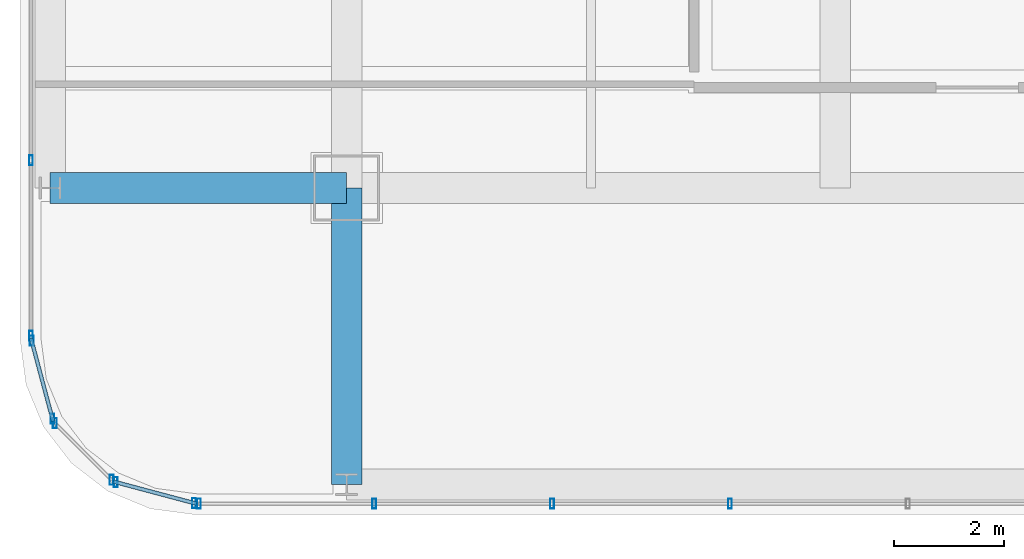
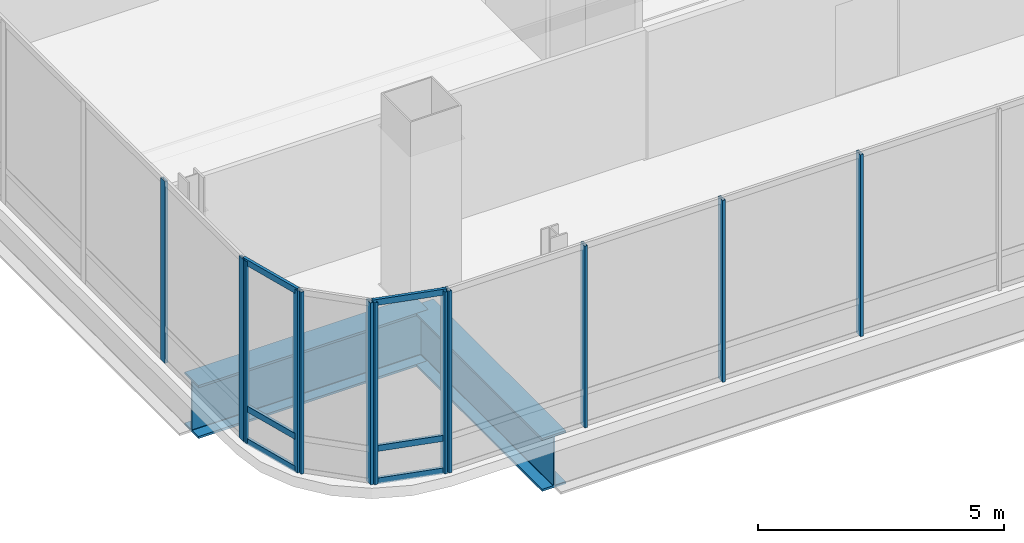
# One storey, part 2 of 45: 18 members, 2 beams, 5 elements without a shape of their own.
"""IFC4 building model written with IfcOpenShell, lengths in metres."""

from ifc_helpers import new_model, si_unit, direction, frame, origin, origin_2d, place, context, subcontext, project, spatial, hollow_rectangle, i_section, extrude, material, material_profile, profile_set, type_object, element, aggregate, save


model = new_model("IFC4")

# Units and contexts
model_context = context("Model", 3, precision=1e-05, world=origin(), true_north=direction((0.0, 1.0)))
body_context = subcontext(model_context, "Body", "Model", "MODEL_VIEW")
ifc_project = project(units=[si_unit("LENGTHUNIT", "METRE"), si_unit("AREAUNIT", "SQUARE_METRE"), si_unit("VOLUMEUNIT", "CUBIC_METRE"), si_unit("PLANEANGLEUNIT", "RADIAN"), si_unit("MASSUNIT", "GRAM", prefix="KILO")], contexts=[model_context])

# Site, building, storey
site_placement = place(None, origin())
site = spatial("IfcSite", under=ifc_project, at=site_placement, CompositionType="ELEMENT")
building_placement = place(site_placement, origin())
building = spatial("IfcBuilding", under=site, at=building_placement, Name="Punatoya Terracotta Tower", CompositionType="ELEMENT")
storey_placement = place(building_placement, frame((0.0, 0.0, 339.0)))
storey = spatial("IfcBuildingStorey", under=building, at=storey_placement, Name="L80", CompositionType="ELEMENT", Elevation=339.0)

# Beams
ifc_material_1 = material(Name="Steel S460", Category="steel")
ifc_material_profile_1 = material_profile(ifc_material_1, i_section(OverallWidth=0.56005859375, OverallDepth=1.320068359375, WebThickness=0.035888671875, FlangeThickness=0.054931640625, FilletRadius=0.01806640625, at=origin_2d()))
ifc_profile_set_1 = profile_set([ifc_material_profile_1], Name="Steel S460")
beam_type = type_object("IfcBeamType", Name="BM-TG-BLK", PredefinedType="BEAM", material=ifc_profile_set_1)
for number, where, z_axis, x_axis, name in (
    (1, (-24.5, -17.5, -0.919921875), (1.0, 0.0, 0.0), (0.0, 1.0, 0.0), "BM-L80-CANT-W1"),
    (2, (-19.10009765625, -22.89990234375, -0.919921875), (0.0, 1.0, 0.0), (-1.0, 0.0, 0.0), "BM-L80-CANT-S1"),
):
    element("IfcBeam", number, at=place(storey_placement, frame(where, z_axis=z_axis, x_axis=x_axis)), inside=storey, type_object=beam_type, Name=name, PredefinedType="BEAM", context=body_context, shape_type="SweptSolid", body=[
        extrude(i_section(OverallWidth=0.56005859375, OverallDepth=1.320068359375, WebThickness=0.035888671875, FlangeThickness=0.054931640625, FilletRadius=0.01806640625, at=origin_2d()), origin(), (0.0, 0.0, 1.0), 5.39990234375),
    ])

# Curtain wall, members
ifc_material_2 = material(Name="Aluminium 6063-T6 + Double Low-E Glass", Category="aluminium")
curtain_wall_type = type_object("IfcCurtainWallType", Name="CW-OBS", PredefinedType="NOTDEFINED", material=ifc_material_2)
curtain_wall_1_placement = place(storey_placement, origin())
curtain_wall_1 = element("IfcCurtainWall", 3, at=curtain_wall_1_placement, inside=storey, type_object=curtain_wall_type, Name="L80 Curtain Wall CW-L80-S01-1", PredefinedType="NOTDEFINED")
ifc_material_3 = material(Name="Aluminium 6063-T6", Category="aluminium")
ifc_material_profile_2 = material_profile(ifc_material_3, hollow_rectangle(XDim=0.070068359375, YDim=0.179931640625, WallThickness=0.00390625, at=origin_2d()))
ifc_profile_set_2 = profile_set([ifc_material_profile_2], Name="Aluminium 6063-T6")
member_type_1 = type_object("IfcMemberType", Name="CW-MUL-M3", PredefinedType="MULLION", material=ifc_profile_set_2)
member_1_placement = place(storey_placement, frame((-21.7919921875, -23.25, 0.0), z_axis=(0.0, 0.0, 1.0), x_axis=(1.0, 0.0, 0.0)))
member_1 = element("IfcMember", 4, at=member_1_placement, type_object=member_type_1, Name="CW-L80-S01-1 Mullion 00", PredefinedType="MULLION", context=body_context, shape_type="SweptSolid", body=[
    extrude(hollow_rectangle(XDim=0.070068359375, YDim=0.179931640625, WallThickness=0.00390625, at=origin_2d()), origin(), (0.0, 0.0, 1.0), 4.52001953125),
])
member_2_placement = place(storey_placement, frame((-18.597412109375, -23.25, 0.0), z_axis=(0.0, 0.0, 1.0), x_axis=(1.0, 0.0, 0.0)))
member_2 = element("IfcMember", 5, at=member_2_placement, type_object=member_type_1, Name="CW-L80-S01-1 Mullion 01", PredefinedType="MULLION", context=body_context, shape_type="SweptSolid", body=[
    extrude(hollow_rectangle(XDim=0.070068359375, YDim=0.179931640625, WallThickness=0.00390625, at=origin_2d()), origin(), (0.0, 0.0, 1.0), 4.52001953125),
])
member_3_placement = place(storey_placement, frame((-15.35791015625, -23.25, 0.0), z_axis=(0.0, 0.0, 1.0), x_axis=(1.0, 0.0, 0.0)))
member_3 = element("IfcMember", 6, at=member_3_placement, type_object=member_type_1, Name="CW-L80-S01-1 Mullion 02", PredefinedType="MULLION", context=body_context, shape_type="SweptSolid", body=[
    extrude(hollow_rectangle(XDim=0.070068359375, YDim=0.179931640625, WallThickness=0.00390625, at=origin_2d()), origin(), (0.0, 0.0, 1.0), 4.52001953125),
])
member_4_placement = place(storey_placement, frame((-12.118408203125, -23.25, 0.0), z_axis=(0.0, 0.0, 1.0), x_axis=(1.0, 0.0, 0.0)))
member_4 = element("IfcMember", 7, at=member_4_placement, type_object=member_type_1, Name="CW-L80-S01-1 Mullion 03", PredefinedType="MULLION", context=body_context, shape_type="SweptSolid", body=[
    extrude(hollow_rectangle(XDim=0.070068359375, YDim=0.179931640625, WallThickness=0.00390625, at=origin_2d()), origin(), (0.0, 0.0, 1.0), 4.52001953125),
])
aggregate(curtain_wall_1, [member_1, member_2, member_3, member_4])

curtain_wall_2_placement = place(storey_placement, origin())
curtain_wall_2 = element("IfcCurtainWall", 8, at=curtain_wall_2_placement, inside=storey, type_object=curtain_wall_type, Name="L80 Curtain Wall CW-L80-W13-1", PredefinedType="NOTDEFINED")
member_5_placement = place(storey_placement, frame((-24.85009765625, -16.993896484375, 0.0), z_axis=(0.0, 0.0, 1.0), x_axis=(1.0, 0.0, 0.0)))
member_5 = element("IfcMember", 9, at=member_5_placement, type_object=member_type_1, Name="CW-L80-W13-1 Mullion 10", PredefinedType="MULLION", context=body_context, shape_type="SweptSolid", body=[
    extrude(hollow_rectangle(XDim=0.070068359375, YDim=0.179931640625, WallThickness=0.00390625, at=origin_2d()), origin(), (0.0, 0.0, 1.0), 4.52001953125),
])
member_6_placement = place(storey_placement, frame((-24.85009765625, -20.19189453125, 0.0), z_axis=(0.0, 0.0, 1.0), x_axis=(1.0, 0.0, 0.0)))
member_6 = element("IfcMember", 10, at=member_6_placement, type_object=member_type_1, Name="CW-L80-W13-1 Mullion 11", PredefinedType="MULLION", context=body_context, shape_type="SweptSolid", body=[
    extrude(hollow_rectangle(XDim=0.070068359375, YDim=0.179931640625, WallThickness=0.00390625, at=origin_2d()), origin(), (0.0, 0.0, 1.0), 4.52001953125),
])
aggregate(curtain_wall_2, [member_5, member_6])

curtain_wall_3_placement = place(storey_placement, origin())
curtain_wall_3 = element("IfcCurtainWall", 11, at=curtain_wall_3_placement, inside=storey, type_object=curtain_wall_type, Name="L80 Curtain Wall CW-L80-CRN14", PredefinedType="NOTDEFINED")
member_7_placement = place(storey_placement, frame((-24.83837890625, -20.280517578125, 0.0), z_axis=(0.0, 0.0, 1.0), x_axis=(1.0, 0.0, 0.0)))
member_7 = element("IfcMember", 12, at=member_7_placement, type_object=member_type_1, Name="CW-L80-CRN14 Mullion 00", PredefinedType="MULLION", context=body_context, shape_type="SweptSolid", body=[
    extrude(hollow_rectangle(XDim=0.070068359375, YDim=0.179931640625, WallThickness=0.00390625, at=origin_2d()), origin(), (0.0, 0.0, 1.0), 4.52001953125),
])
member_8_placement = place(storey_placement, frame((-24.458251953125, -21.70556640625, 0.0), z_axis=(0.0, 0.0, 1.0), x_axis=(1.0, 0.0, 0.0)))
member_8 = element("IfcMember", 13, at=member_8_placement, type_object=member_type_1, Name="CW-L80-CRN14 Mullion 01", PredefinedType="MULLION", context=body_context, shape_type="SweptSolid", body=[
    extrude(hollow_rectangle(XDim=0.070068359375, YDim=0.179931640625, WallThickness=0.00390625, at=origin_2d()), origin(), (0.0, 0.0, 1.0), 4.52001953125),
])

curtain_wall_4_placement = place(storey_placement, origin())
curtain_wall_4 = element("IfcCurtainWall", 14, at=curtain_wall_4_placement, inside=storey, type_object=curtain_wall_type, Name="L80 Curtain Wall CW-L80-CRN15", PredefinedType="NOTDEFINED")
member_9_placement = place(storey_placement, frame((-24.414794921875, -21.781005859375, 0.0), z_axis=(0.0, 0.0, 1.0), x_axis=(1.0, 0.0, 0.0)))
member_9 = element("IfcMember", 15, at=member_9_placement, type_object=member_type_1, Name="CW-L80-CRN15 Mullion 00", PredefinedType="MULLION", context=body_context, shape_type="SweptSolid", body=[
    extrude(hollow_rectangle(XDim=0.070068359375, YDim=0.179931640625, WallThickness=0.00390625, at=origin_2d()), origin(), (0.0, 0.0, 1.0), 4.52001953125),
])
member_10_placement = place(storey_placement, frame((-23.380859375, -22.814697265625, 0.0), z_axis=(0.0, 0.0, 1.0), x_axis=(1.0, 0.0, 0.0)))
member_10 = element("IfcMember", 16, at=member_10_placement, type_object=member_type_1, Name="CW-L80-CRN15 Mullion 01", PredefinedType="MULLION", context=body_context, shape_type="SweptSolid", body=[
    extrude(hollow_rectangle(XDim=0.070068359375, YDim=0.179931640625, WallThickness=0.00390625, at=origin_2d()), origin(), (0.0, 0.0, 1.0), 4.52001953125),
])
aggregate(curtain_wall_4, [member_9, member_10])

curtain_wall_5_placement = place(storey_placement, origin())
curtain_wall_5 = element("IfcCurtainWall", 17, at=curtain_wall_5_placement, inside=storey, type_object=curtain_wall_type, Name="L80 Curtain Wall CW-L80-CRN16", PredefinedType="NOTDEFINED")
member_11_placement = place(storey_placement, frame((-23.3056640625, -22.858154296875, 0.0), z_axis=(0.0, 0.0, 1.0), x_axis=(1.0, 0.0, 0.0)))
member_11 = element("IfcMember", 18, at=member_11_placement, type_object=member_type_1, Name="CW-L80-CRN16 Mullion 00", PredefinedType="MULLION", context=body_context, shape_type="SweptSolid", body=[
    extrude(hollow_rectangle(XDim=0.070068359375, YDim=0.179931640625, WallThickness=0.00390625, at=origin_2d()), origin(), (0.0, 0.0, 1.0), 4.52001953125),
])
member_12_placement = place(storey_placement, frame((-21.88037109375, -23.23828125, 0.0), z_axis=(0.0, 0.0, 1.0), x_axis=(1.0, 0.0, 0.0)))
member_12 = element("IfcMember", 19, at=member_12_placement, type_object=member_type_1, Name="CW-L80-CRN16 Mullion 01", PredefinedType="MULLION", context=body_context, shape_type="SweptSolid", body=[
    extrude(hollow_rectangle(XDim=0.070068359375, YDim=0.179931640625, WallThickness=0.00390625, at=origin_2d()), origin(), (0.0, 0.0, 1.0), 4.52001953125),
])

# Member
ifc_material_profile_3 = material_profile(ifc_material_3, hollow_rectangle(XDim=0.068115234375, YDim=0.14990234375, WallThickness=0.00390625, at=origin_2d()))
ifc_profile_set_3 = profile_set([ifc_material_profile_3], Name="Aluminium 6063-T6")
member_type_2 = type_object("IfcMemberType", Name="CW-TRN-TYP", PredefinedType="USERDEFINED", material=ifc_profile_set_3)
member_13_placement = place(storey_placement, frame((-24.85009765625, -20.23681640625, 0.0400390625), z_axis=(0.257847112249, -0.966185730957, 0.0), x_axis=(0.966185730957, 0.257847112249, 0.0)))
member_13 = element("IfcMember", 20, at=member_13_placement, type_object=member_type_2, Name="CW-L80-CRN14 Transom 1", ObjectType="TRANSOM", PredefinedType="USERDEFINED", context=body_context, shape_type="SweptSolid", body=[
    extrude(hollow_rectangle(XDim=0.068115234375, YDim=0.14990234375, WallThickness=0.00390625, at=origin_2d()), origin(), (0.0, 0.0, 1.0), 1.565185546875),
])

member_14_placement = place(storey_placement, frame((-24.85009765625, -20.23681640625, 0.85009765625), z_axis=(0.257847112249, -0.966185730957, 0.0), x_axis=(0.966185730957, 0.257847112249, 0.0)))
member_14 = element("IfcMember", 21, at=member_14_placement, type_object=member_type_2, Name="CW-L80-CRN14 Transom 2", ObjectType="TRANSOM", PredefinedType="USERDEFINED", context=body_context, shape_type="SweptSolid", body=[
    extrude(hollow_rectangle(XDim=0.068115234375, YDim=0.14990234375, WallThickness=0.00390625, at=origin_2d()), origin(), (0.0, 0.0, 1.0), 1.565185546875),
])

member_15_placement = place(storey_placement, frame((-24.85009765625, -20.23681640625, 4.47998046875), z_axis=(0.257847112249, -0.966185730957, 0.0), x_axis=(0.966185730957, 0.257847112249, 0.0)))
member_15 = element("IfcMember", 22, at=member_15_placement, type_object=member_type_2, Name="CW-L80-CRN14 Transom 3", ObjectType="TRANSOM", PredefinedType="USERDEFINED", context=body_context, shape_type="SweptSolid", body=[
    extrude(hollow_rectangle(XDim=0.068115234375, YDim=0.14990234375, WallThickness=0.00390625, at=origin_2d()), origin(), (0.0, 0.0, 1.0), 1.565185546875),
])

aggregate(curtain_wall_3, [member_7, member_8, member_13, member_14, member_15])

member_16_placement = place(storey_placement, frame((-23.34912109375, -22.8466796875, 0.0400390625), z_axis=(0.966224582397, -0.257701486942, 0.0), x_axis=(0.257701486942, 0.966224582397, 0.0)))
member_16 = element("IfcMember", 23, at=member_16_placement, type_object=member_type_2, Name="CW-L80-CRN16 Transom 1", ObjectType="TRANSOM", PredefinedType="USERDEFINED", context=body_context, shape_type="SweptSolid", body=[
    extrude(hollow_rectangle(XDim=0.068115234375, YDim=0.14990234375, WallThickness=0.00390625, at=origin_2d()), origin(), (0.0, 0.0, 1.0), 1.565185546875),
])

member_17_placement = place(storey_placement, frame((-23.34912109375, -22.8466796875, 0.85009765625), z_axis=(0.966224582397, -0.257701486942, 0.0), x_axis=(0.257701486942, 0.966224582397, 0.0)))
member_17 = element("IfcMember", 24, at=member_17_placement, type_object=member_type_2, Name="CW-L80-CRN16 Transom 2", ObjectType="TRANSOM", PredefinedType="USERDEFINED", context=body_context, shape_type="SweptSolid", body=[
    extrude(hollow_rectangle(XDim=0.068115234375, YDim=0.14990234375, WallThickness=0.00390625, at=origin_2d()), origin(), (0.0, 0.0, 1.0), 1.565185546875),
])

member_18_placement = place(storey_placement, frame((-23.34912109375, -22.8466796875, 4.47998046875), z_axis=(0.966224582397, -0.257701486942, 0.0), x_axis=(0.257701486942, 0.966224582397, 0.0)))
member_18 = element("IfcMember", 25, at=member_18_placement, type_object=member_type_2, Name="CW-L80-CRN16 Transom 3", ObjectType="TRANSOM", PredefinedType="USERDEFINED", context=body_context, shape_type="SweptSolid", body=[
    extrude(hollow_rectangle(XDim=0.068115234375, YDim=0.14990234375, WallThickness=0.00390625, at=origin_2d()), origin(), (0.0, 0.0, 1.0), 1.565185546875),
])

aggregate(curtain_wall_5, [member_11, member_12, member_16, member_17, member_18])

save(model, "model.ifc")
